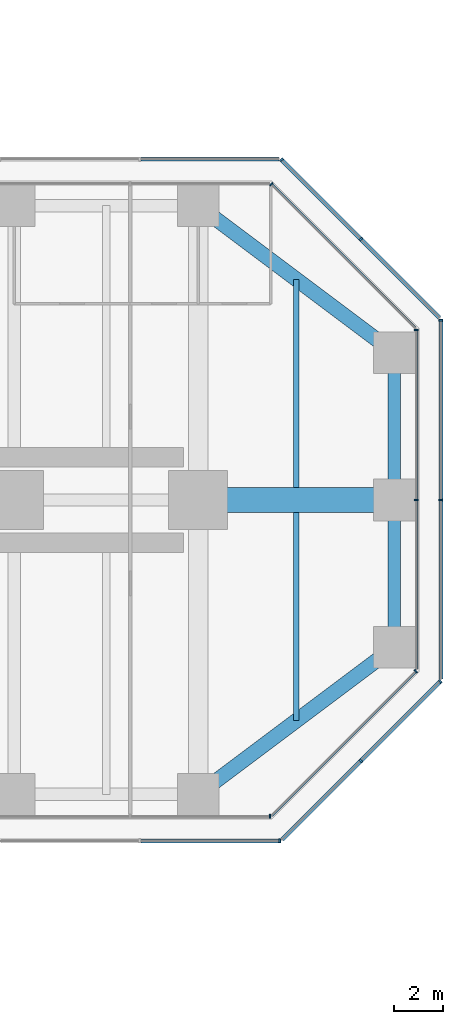
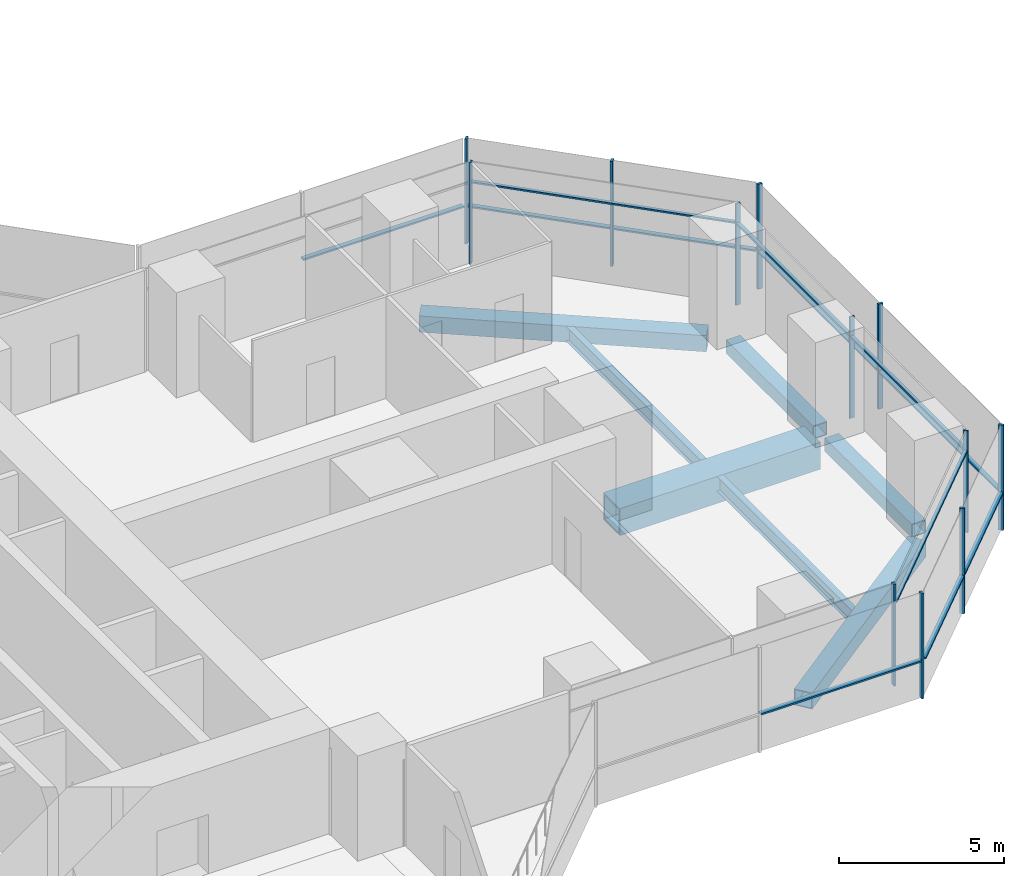
# One storey, part 12 of 22: 24 members, 7 beams, 9 elements without a shape of their own.
"""IFC4 building model written with IfcOpenShell, lengths in metres."""

from ifc_helpers import new_model, si_unit, direction, frame, origin, origin_2d, place, context, subcontext, project, spatial, rectangle, hollow_rectangle, i_section, extrude, material, material_profile, profile_set, type_object, element, aggregate, save


model = new_model("IFC4")

# Units and contexts
model_context = context("Model", 3, precision=1e-05, world=origin(), true_north=direction((0.0, 1.0)))
body_context = subcontext(model_context, "Body", "Model", "MODEL_VIEW")
ifc_project = project(units=[si_unit("LENGTHUNIT", "METRE"), si_unit("AREAUNIT", "SQUARE_METRE"), si_unit("VOLUMEUNIT", "CUBIC_METRE"), si_unit("PLANEANGLEUNIT", "RADIAN"), si_unit("MASSUNIT", "GRAM", prefix="KILO")], contexts=[model_context])

# Site, building, storey
site_placement = place(None, origin())
site = spatial("IfcSite", under=ifc_project, at=site_placement, CompositionType="ELEMENT")
building_placement = place(site_placement, origin())
building = spatial("IfcBuilding", under=site, at=building_placement, Name="Mizan Broadcast Tower", CompositionType="ELEMENT")
storey_placement = place(building_placement, frame((0.0, 0.0, 94.199951171875)))
storey = spatial("IfcBuildingStorey", under=building, at=storey_placement, Name="L20", CompositionType="ELEMENT", Elevation=94.199951171875)

# Beams
ifc_material_1 = material(Name="Steel S355", Category="steel")
ifc_material_profile_1 = material_profile(ifc_material_1, hollow_rectangle(XDim=0.5, YDim=0.5, WallThickness=0.030029296875, at=origin_2d()), Name="BOX 500x500x30")
ifc_profile_set_1 = profile_set([ifc_material_profile_1], Name="Steel S355")
beam_type_1 = type_object("IfcBeamType", Name="EDGE BEAM BOX 500x500x30", PredefinedType="SPANDREL", material=ifc_profile_set_1)
for number, where, z_axis, x_axis, name in (
    (1, (35.0, -5.639892578125, -0.3798828125), (0.0, 1.0, 0.0), (-1.0, 0.0, 0.0), "Edge beam BOX 500x500x30 L20 east arm"),
    (2, (35.0, 5.639892578125, -0.3798828125), (0.0, -1.0, 0.0), (1.0, 0.0, 0.0), "Edge beam BOX 500x500x30 L20 east arm"),
):
    element("IfcBeam", number, at=place(storey_placement, frame(where, z_axis=z_axis, x_axis=x_axis)), inside=storey, type_object=beam_type_1, Name=name, PredefinedType="SPANDREL", context=body_context, shape_type="SweptSolid", body=[
        extrude(hollow_rectangle(XDim=0.5, YDim=0.5, WallThickness=0.030029296875, at=origin_2d()), origin(), (0.0, 0.0, 1.0), 5.27978515625),
    ])
ifc_material_2 = material(Name="Steel S355", Category="steel")
ifc_material_profile_2 = material_profile(ifc_material_2, hollow_rectangle(XDim=0.60009765625, YDim=0.60009765625, WallThickness=0.030029296875, at=origin_2d()), Name="BOX 600x600x30")
ifc_profile_set_2 = profile_set([ifc_material_profile_2], Name="Steel S355")
beam_type_2 = type_object("IfcBeamType", Name="EDGE BEAM BOX 600x600x30", PredefinedType="SPANDREL", material=ifc_profile_set_2)
for number, where, z_axis, x_axis, name in (
    (3, (27.47998046875, -11.639892578125, -0.429931640625), (0.800013316712, 0.599982243973, 0.0), (-0.599982243973, 0.800013316712, 0.0), "Edge beam BOX 600x600x30 L20 east arm"),
    (4, (27.47998046875, 11.639892578125, -0.429931640625), (0.800013316712, -0.599982243973, 0.0), (0.599982243973, 0.800013316712, 0.0), "Edge beam BOX 600x600x30 L20 east arm"),
):
    element("IfcBeam", number, at=place(storey_placement, frame(where, z_axis=z_axis, x_axis=x_axis)), inside=storey, type_object=beam_type_2, Name=name, PredefinedType="SPANDREL", context=body_context, shape_type="SweptSolid", body=[
        extrude(hollow_rectangle(XDim=0.60009765625, YDim=0.60009765625, WallThickness=0.030029296875, at=origin_2d()), origin(), (0.0, 0.0, 1.0), 8.7998046875),
    ])
ifc_material_3 = material(Name="Steel S460", Category="steel")
ifc_material_profile_3 = material_profile(ifc_material_3, hollow_rectangle(XDim=1.0, YDim=1.0, WallThickness=0.06005859375, at=origin_2d()), Name="BOX 1000x1000x60")
ifc_profile_set_3 = profile_set([ifc_material_profile_3], Name="Steel S460")
beam_type_3 = type_object("IfcBeamType", Name="GIRDER BOX 1000x1000x60", PredefinedType="BEAM", material=ifc_profile_set_3)
beam_placement = place(storey_placement, frame((27.47998046875, 0.0, -0.6298828125), z_axis=(1.0, 0.0, 0.0), x_axis=(0.0, 1.0, 0.0)))
element("IfcBeam", 5, at=beam_placement, inside=storey, type_object=beam_type_3, Name="Girder BOX 1000x1000x60 L20 east arm", PredefinedType="BEAM", context=body_context, shape_type="SweptSolid", body=[
    extrude(hollow_rectangle(XDim=1.0, YDim=1.0, WallThickness=0.06005859375, at=origin_2d()), origin(), (0.0, 0.0, 1.0), 7.0400390625),
])

# Curtain wall, member
ifc_material_4 = material(Name="Aluminium framed glazing", Category="aluminium")
curtain_wall_type_1 = type_object("IfcCurtainWallType", Name="INNER SKIN LOW ZONE", PredefinedType="USERDEFINED", material=ifc_material_4)
curtain_wall_1_placement = place(storey_placement, origin())
curtain_wall_1 = element("IfcCurtainWall", 6, at=curtain_wall_1_placement, inside=storey, type_object=curtain_wall_type_1, Name="Inner skin low zone L20 E side", ObjectType="INNER SKIN LOW ZONE", PredefinedType="USERDEFINED")
ifc_material_5 = material(Name="Aluminium, pale anodised", Category="aluminium")
ifc_material_profile_4 = material_profile(ifc_material_5, rectangle(XDim=0.159912109375, YDim=0.06005859375, at=origin_2d()), Name="MULLION 160x60")
ifc_profile_set_4 = profile_set([ifc_material_profile_4], Name="Aluminium, pale anodised")
member_type_1 = type_object("IfcMemberType", Name="INNER SKIN MULLION 60x160", PredefinedType="MULLION", material=ifc_profile_set_4)
member_1_placement = place(storey_placement, frame((29.928466796875, -12.89990234375, 0.0), z_axis=(0.0, 0.0, 1.0), x_axis=(0.0, 1.0, 0.0)))
member_1 = element("IfcMember", 7, at=member_1_placement, type_object=member_type_1, Name="Inner skin low zone L20 E side mullion 3", PredefinedType="MULLION", context=body_context, shape_type="SweptSolid", body=[
    extrude(rectangle(XDim=0.159912109375, YDim=0.06005859375, at=origin_2d()), origin(), (0.0, 0.0, 1.0), 3.77001953125),
])
aggregate(curtain_wall_1, [member_1])

curtain_wall_2_placement = place(storey_placement, origin())
curtain_wall_2 = element("IfcCurtainWall", 8, at=curtain_wall_2_placement, inside=storey, type_object=curtain_wall_type_1, Name="Inner skin low zone L20 E chamfer", ObjectType="INNER SKIN LOW ZONE", PredefinedType="USERDEFINED")
member_2_placement = place(storey_placement, frame((35.87890625, -6.979736328125, 0.0), z_axis=(0.0, 0.0, 1.0), x_axis=(-0.707106781187, 0.707106781187, 0.0)))
member_2 = element("IfcMember", 9, at=member_2_placement, type_object=member_type_1, Name="Inner skin low zone L20 E chamfer mullion 2", PredefinedType="MULLION", context=body_context, shape_type="SweptSolid", body=[
    extrude(rectangle(XDim=0.159912109375, YDim=0.06005859375, at=origin_2d()), origin(), (0.0, 0.0, 1.0), 3.77001953125),
])

# Curtain wall, members
curtain_wall_3_placement = place(storey_placement, origin())
curtain_wall_3 = element("IfcCurtainWall", 10, at=curtain_wall_3_placement, inside=storey, type_object=curtain_wall_type_1, Name="Inner skin low zone L20 E end", ObjectType="INNER SKIN LOW ZONE", PredefinedType="USERDEFINED")
member_3_placement = place(storey_placement, frame((35.89990234375, 0.0, 0.0), z_axis=(0.0, 0.0, 1.0), x_axis=(-1.0, 0.0, 0.0)))
member_3 = element("IfcMember", 11, at=member_3_placement, type_object=member_type_1, Name="Inner skin low zone L20 E end mullion 2", PredefinedType="MULLION", context=body_context, shape_type="SweptSolid", body=[
    extrude(rectangle(XDim=0.159912109375, YDim=0.06005859375, at=origin_2d()), origin(), (0.0, 0.0, 1.0), 3.77001953125),
])
member_4_placement = place(storey_placement, frame((35.89990234375, 6.928466796875, 0.0), z_axis=(0.0, 0.0, 1.0), x_axis=(-1.0, 0.0, 0.0)))
member_4 = element("IfcMember", 12, at=member_4_placement, type_object=member_type_1, Name="Inner skin low zone L20 E end mullion 3", PredefinedType="MULLION", context=body_context, shape_type="SweptSolid", body=[
    extrude(rectangle(XDim=0.159912109375, YDim=0.06005859375, at=origin_2d()), origin(), (0.0, 0.0, 1.0), 3.77001953125),
])

# Curtain wall, member
curtain_wall_4_placement = place(storey_placement, origin())
curtain_wall_4 = element("IfcCurtainWall", 13, at=curtain_wall_4_placement, inside=storey, type_object=curtain_wall_type_1, Name="Inner skin low zone L20 E chamfer", ObjectType="INNER SKIN LOW ZONE", PredefinedType="USERDEFINED")
member_5_placement = place(storey_placement, frame((29.979736328125, 12.87890625, 0.0), z_axis=(0.0, 0.0, 1.0), x_axis=(-0.707106781187, -0.707106781187, 0.0)))
member_5 = element("IfcMember", 14, at=member_5_placement, type_object=member_type_1, Name="Inner skin low zone L20 E chamfer mullion 2", PredefinedType="MULLION", context=body_context, shape_type="SweptSolid", body=[
    extrude(rectangle(XDim=0.159912109375, YDim=0.06005859375, at=origin_2d()), origin(), (0.0, 0.0, 1.0), 3.77001953125),
])

# Member
ifc_material_6 = material(Name="Aluminium, pale anodised", Category="aluminium")
ifc_material_profile_5 = material_profile(ifc_material_6, rectangle(XDim=0.1201171875, YDim=0.06005859375, at=origin_2d()), Name="TRANSOM 120x60")
ifc_profile_set_5 = profile_set([ifc_material_profile_5], Name="Aluminium, pale anodised")
member_type_2 = type_object("IfcMemberType", Name="INNER SKIN TRANSOM 60x120", PredefinedType="USERDEFINED", material=ifc_profile_set_5)
member_6_placement = place(storey_placement, frame((30.0009765625, -12.857666015625, 3.030029296875), z_axis=(0.707106781187, 0.707106781187, 0.0), x_axis=(-0.707106781187, 0.707106781187, 0.0)))
member_6 = element("IfcMember", 15, at=member_6_placement, type_object=member_type_2, Name="Inner skin low zone L20 E chamfer transom 1.1", ObjectType="TRANSOM", PredefinedType="USERDEFINED", context=body_context, shape_type="SweptSolid", body=[
    extrude(rectangle(XDim=0.1201171875, YDim=0.06005859375, at=origin_2d()), origin(), (0.0, 0.0, 1.0), 8.28271484375),
])

aggregate(curtain_wall_2, [member_2, member_6])

member_7_placement = place(storey_placement, frame((35.89990234375, -6.898681640625, 3.030029296875), z_axis=(0.0, 1.0, 0.0), x_axis=(-1.0, 0.0, 0.0)))
member_7 = element("IfcMember", 16, at=member_7_placement, type_object=member_type_2, Name="Inner skin low zone L20 E end transom 1.1", ObjectType="TRANSOM", PredefinedType="USERDEFINED", context=body_context, shape_type="SweptSolid", body=[
    extrude(rectangle(XDim=0.1201171875, YDim=0.06005859375, at=origin_2d()), origin(), (0.0, 0.0, 1.0), 6.86865234375),
])

member_8_placement = place(storey_placement, frame((35.89990234375, 0.030029296875, 3.030029296875), z_axis=(0.0, 1.0, 0.0), x_axis=(-1.0, 0.0, 0.0)))
member_8 = element("IfcMember", 17, at=member_8_placement, type_object=member_type_2, Name="Inner skin low zone L20 E end transom 2.1", ObjectType="TRANSOM", PredefinedType="USERDEFINED", context=body_context, shape_type="SweptSolid", body=[
    extrude(rectangle(XDim=0.1201171875, YDim=0.06005859375, at=origin_2d()), origin(), (0.0, 0.0, 1.0), 6.86865234375),
])

aggregate(curtain_wall_3, [member_3, member_4, member_7, member_8])

member_9_placement = place(storey_placement, frame((35.857666015625, 7.0009765625, 3.030029296875), z_axis=(-0.707106781187, 0.707106781187, 0.0), x_axis=(-0.707106781187, -0.707106781187, 0.0)))
member_9 = element("IfcMember", 18, at=member_9_placement, type_object=member_type_2, Name="Inner skin low zone L20 E chamfer transom 1.1", ObjectType="TRANSOM", PredefinedType="USERDEFINED", context=body_context, shape_type="SweptSolid", body=[
    extrude(rectangle(XDim=0.1201171875, YDim=0.06005859375, at=origin_2d()), origin(), (0.0, 0.0, 1.0), 8.28271484375),
])

aggregate(curtain_wall_4, [member_5, member_9])

# Curtain wall, members
ifc_material_7 = material(Name="Aluminium framed glazing", Category="aluminium")
curtain_wall_type_2 = type_object("IfcCurtainWallType", Name="OUTER SKIN", PredefinedType="USERDEFINED", material=ifc_material_7)
curtain_wall_5_placement = place(storey_placement, origin())
curtain_wall_5 = element("IfcCurtainWall", 19, at=curtain_wall_5_placement, inside=storey, type_object=curtain_wall_type_2, Name="Outer skin L20 E chamfer", ObjectType="OUTER SKIN", PredefinedType="USERDEFINED")
ifc_material_8 = material(Name="Aluminium, pale anodised", Category="aluminium")
ifc_material_profile_6 = material_profile(ifc_material_8, rectangle(XDim=0.159912109375, YDim=0.080078125, at=origin_2d()), Name="MULLION 160x80")
ifc_profile_set_6 = profile_set([ifc_material_profile_6], Name="Aluminium, pale anodised")
member_type_3 = type_object("IfcMemberType", Name="OUTER SKIN MULLION 80x160", PredefinedType="MULLION", material=ifc_profile_set_6)
member_10_placement = place(storey_placement, frame((33.636474609375, -10.636474609375, 0.0), z_axis=(0.0, 0.0, 1.0), x_axis=(-0.707106781187, 0.707106781187, 0.0)))
member_10 = element("IfcMember", 20, at=member_10_placement, type_object=member_type_3, Name="Outer skin L20 E chamfer mullion 2", PredefinedType="MULLION", context=body_context, shape_type="SweptSolid", body=[
    extrude(rectangle(XDim=0.159912109375, YDim=0.080078125, at=origin_2d()), origin(), (0.0, 0.0, 1.0), 3.900146484375),
])
member_11_placement = place(storey_placement, frame((36.871826171875, -7.401123046875, 0.0), z_axis=(0.0, 0.0, 1.0), x_axis=(-0.707106781187, 0.707106781187, 0.0)))
member_11 = element("IfcMember", 21, at=member_11_placement, type_object=member_type_3, Name="Outer skin L20 E chamfer mullion 3", PredefinedType="MULLION", context=body_context, shape_type="SweptSolid", body=[
    extrude(rectangle(XDim=0.159912109375, YDim=0.080078125, at=origin_2d()), origin(), (0.0, 0.0, 1.0), 3.900146484375),
])

curtain_wall_6_placement = place(storey_placement, origin())
curtain_wall_6 = element("IfcCurtainWall", 22, at=curtain_wall_6_placement, inside=storey, type_object=curtain_wall_type_2, Name="Outer skin L20 E end", ObjectType="OUTER SKIN", PredefinedType="USERDEFINED")
member_12_placement = place(storey_placement, frame((36.89990234375, 0.0, 0.0), z_axis=(0.0, 0.0, 1.0), x_axis=(-1.0, 0.0, 0.0)))
member_12 = element("IfcMember", 23, at=member_12_placement, type_object=member_type_3, Name="Outer skin L20 E end mullion 2", PredefinedType="MULLION", context=body_context, shape_type="SweptSolid", body=[
    extrude(rectangle(XDim=0.159912109375, YDim=0.080078125, at=origin_2d()), origin(), (0.0, 0.0, 1.0), 3.900146484375),
])
member_13_placement = place(storey_placement, frame((36.89990234375, 7.332763671875, 0.0), z_axis=(0.0, 0.0, 1.0), x_axis=(-1.0, 0.0, 0.0)))
member_13 = element("IfcMember", 24, at=member_13_placement, type_object=member_type_3, Name="Outer skin L20 E end mullion 3", PredefinedType="MULLION", context=body_context, shape_type="SweptSolid", body=[
    extrude(rectangle(XDim=0.159912109375, YDim=0.080078125, at=origin_2d()), origin(), (0.0, 0.0, 1.0), 3.900146484375),
])

curtain_wall_7_placement = place(storey_placement, origin())
curtain_wall_7 = element("IfcCurtainWall", 25, at=curtain_wall_7_placement, inside=storey, type_object=curtain_wall_type_2, Name="Outer skin L20 E chamfer", ObjectType="OUTER SKIN", PredefinedType="USERDEFINED")
member_14_placement = place(storey_placement, frame((33.636474609375, 10.636474609375, 0.0), z_axis=(0.0, 0.0, 1.0), x_axis=(-0.707106781187, -0.707106781187, 0.0)))
member_14 = element("IfcMember", 26, at=member_14_placement, type_object=member_type_3, Name="Outer skin L20 E chamfer mullion 2", PredefinedType="MULLION", context=body_context, shape_type="SweptSolid", body=[
    extrude(rectangle(XDim=0.159912109375, YDim=0.080078125, at=origin_2d()), origin(), (0.0, 0.0, 1.0), 3.900146484375),
])
member_15_placement = place(storey_placement, frame((30.401123046875, 13.871826171875, 0.0), z_axis=(0.0, 0.0, 1.0), x_axis=(-0.707106781187, -0.707106781187, 0.0)))
member_15 = element("IfcMember", 27, at=member_15_placement, type_object=member_type_3, Name="Outer skin L20 E chamfer mullion 3", PredefinedType="MULLION", context=body_context, shape_type="SweptSolid", body=[
    extrude(rectangle(XDim=0.159912109375, YDim=0.080078125, at=origin_2d()), origin(), (0.0, 0.0, 1.0), 3.900146484375),
])

# Curtain wall, member
curtain_wall_8_placement = place(storey_placement, origin())
curtain_wall_8 = element("IfcCurtainWall", 28, at=curtain_wall_8_placement, inside=storey, type_object=curtain_wall_type_2, Name="Outer skin L20 E side", ObjectType="OUTER SKIN", PredefinedType="USERDEFINED")
member_16_placement = place(storey_placement, frame((30.332763671875, -13.89990234375, 0.0), z_axis=(0.0, 0.0, 1.0), x_axis=(0.0, 1.0, 0.0)))
member_16 = element("IfcMember", 29, at=member_16_placement, type_object=member_type_3, Name="Outer skin L20 E side mullion 3", PredefinedType="MULLION", context=body_context, shape_type="SweptSolid", body=[
    extrude(rectangle(XDim=0.159912109375, YDim=0.080078125, at=origin_2d()), origin(), (0.0, 0.0, 1.0), 3.900146484375),
])

# Member
ifc_material_9 = material(Name="Aluminium, pale anodised", Category="aluminium")
ifc_material_profile_7 = material_profile(ifc_material_9, rectangle(XDim=0.159912109375, YDim=0.06005859375, at=origin_2d()), Name="TRANSOM 160x60")
ifc_profile_set_7 = profile_set([ifc_material_profile_7], Name="Aluminium, pale anodised")
member_type_4 = type_object("IfcMemberType", Name="OUTER SKIN TRANSOM 60x160", PredefinedType="USERDEFINED", material=ifc_profile_set_7)
member_17_placement = place(storey_placement, frame((30.429443359375, -13.843505859375, 1.400146484375), z_axis=(0.707106781187, 0.707106781187, 0.0), x_axis=(-0.707106781187, 0.707106781187, 0.0)))
member_17 = element("IfcMember", 30, at=member_17_placement, type_object=member_type_4, Name="Outer skin L20 E chamfer transom 1.1", ObjectType="TRANSOM", PredefinedType="USERDEFINED", context=body_context, shape_type="SweptSolid", body=[
    extrude(rectangle(XDim=0.159912109375, YDim=0.06005859375, at=origin_2d()), origin(), (0.0, 0.0, 1.0), 4.495361328125),
])

member_18_placement = place(storey_placement, frame((33.664794921875, -10.608154296875, 1.400146484375), z_axis=(0.707106781187, 0.707106781187, 0.0), x_axis=(-0.707106781187, 0.707106781187, 0.0)))
member_18 = element("IfcMember", 31, at=member_18_placement, type_object=member_type_4, Name="Outer skin L20 E chamfer transom 2.1", ObjectType="TRANSOM", PredefinedType="USERDEFINED", context=body_context, shape_type="SweptSolid", body=[
    extrude(rectangle(XDim=0.159912109375, YDim=0.06005859375, at=origin_2d()), origin(), (0.0, 0.0, 1.0), 4.495361328125),
])

aggregate(curtain_wall_5, [member_10, member_11, member_17, member_18])

member_19_placement = place(storey_placement, frame((36.89990234375, -7.292724609375, 1.400146484375), z_axis=(0.0, 1.0, 0.0), x_axis=(-1.0, 0.0, 0.0)))
member_19 = element("IfcMember", 32, at=member_19_placement, type_object=member_type_4, Name="Outer skin L20 E end transom 1.1", ObjectType="TRANSOM", PredefinedType="USERDEFINED", context=body_context, shape_type="SweptSolid", body=[
    extrude(rectangle(XDim=0.159912109375, YDim=0.06005859375, at=origin_2d()), origin(), (0.0, 0.0, 1.0), 7.252685546875),
])

member_20_placement = place(storey_placement, frame((36.89990234375, 0.0400390625, 1.400146484375), z_axis=(0.0, 1.0, 0.0), x_axis=(-1.0, 0.0, 0.0)))
member_20 = element("IfcMember", 33, at=member_20_placement, type_object=member_type_4, Name="Outer skin L20 E end transom 2.1", ObjectType="TRANSOM", PredefinedType="USERDEFINED", context=body_context, shape_type="SweptSolid", body=[
    extrude(rectangle(XDim=0.159912109375, YDim=0.06005859375, at=origin_2d()), origin(), (0.0, 0.0, 1.0), 7.252685546875),
])

aggregate(curtain_wall_6, [member_12, member_13, member_19, member_20])

member_21_placement = place(storey_placement, frame((36.843505859375, 7.429443359375, 1.400146484375), z_axis=(-0.707106781187, 0.707106781187, 0.0), x_axis=(-0.707106781187, -0.707106781187, 0.0)))
member_21 = element("IfcMember", 34, at=member_21_placement, type_object=member_type_4, Name="Outer skin L20 E chamfer transom 1.1", ObjectType="TRANSOM", PredefinedType="USERDEFINED", context=body_context, shape_type="SweptSolid", body=[
    extrude(rectangle(XDim=0.159912109375, YDim=0.06005859375, at=origin_2d()), origin(), (0.0, 0.0, 1.0), 4.495361328125),
])

member_22_placement = place(storey_placement, frame((33.608154296875, 10.664794921875, 1.400146484375), z_axis=(-0.707106781187, 0.707106781187, 0.0), x_axis=(-0.707106781187, -0.707106781187, 0.0)))
member_22 = element("IfcMember", 35, at=member_22_placement, type_object=member_type_4, Name="Outer skin L20 E chamfer transom 2.1", ObjectType="TRANSOM", PredefinedType="USERDEFINED", context=body_context, shape_type="SweptSolid", body=[
    extrude(rectangle(XDim=0.159912109375, YDim=0.06005859375, at=origin_2d()), origin(), (0.0, 0.0, 1.0), 4.495361328125),
])

aggregate(curtain_wall_7, [member_14, member_15, member_21, member_22])

# Curtain wall, member
curtain_wall_9_placement = place(storey_placement, origin())
curtain_wall_9 = element("IfcCurtainWall", 36, at=curtain_wall_9_placement, inside=storey, type_object=curtain_wall_type_2, Name="Outer skin L20 E side", ObjectType="OUTER SKIN", PredefinedType="USERDEFINED")
member_23_placement = place(storey_placement, frame((30.292724609375, 13.89990234375, 1.400146484375), z_axis=(-1.0, 0.0, 0.0), x_axis=(0.0, -1.0, 0.0)))
member_23 = element("IfcMember", 37, at=member_23_placement, type_object=member_type_4, Name="Outer skin L20 E side transom 1.1", ObjectType="TRANSOM", PredefinedType="USERDEFINED", context=body_context, shape_type="SweptSolid", body=[
    extrude(rectangle(XDim=0.159912109375, YDim=0.06005859375, at=origin_2d()), origin(), (0.0, 0.0, 1.0), 5.6298828125),
])
aggregate(curtain_wall_9, [member_23])

# Member
member_24_placement = place(storey_placement, frame((24.662841796875, -13.89990234375, 1.400146484375), z_axis=(1.0, 0.0, 0.0), x_axis=(0.0, 1.0, 0.0)))
member_24 = element("IfcMember", 38, at=member_24_placement, type_object=member_type_4, Name="Outer skin L20 E side transom 2.1", ObjectType="TRANSOM", PredefinedType="USERDEFINED", context=body_context, shape_type="SweptSolid", body=[
    extrude(rectangle(XDim=0.159912109375, YDim=0.06005859375, at=origin_2d()), origin(), (0.0, 0.0, 1.0), 5.6298828125),
])

aggregate(curtain_wall_8, [member_16, member_24])

# Beams
ifc_material_10 = material(Name="Steel S355", Category="steel")
ifc_material_profile_8 = material_profile(ifc_material_10, i_section(OverallWidth=0.2099609375, OverallDepth=0.550048828125, WebThickness=0.010986328125, FlangeThickness=0.01708984375, FilletRadius=0.02392578125, at=origin_2d()), Name="IPE 550")
ifc_profile_set_8 = profile_set([ifc_material_profile_8], Name="Steel S355")
beam_type_4 = type_object("IfcBeamType", Name="SECONDARY BEAM IPE 550", PredefinedType="JOIST", material=ifc_profile_set_8)
for number, where, z_axis, x_axis, name in (
    (39, (31.0, -9.0, -0.405029296875), (0.0, 1.0, 0.0), (-1.0, 0.0, 0.0), "Secondary beam IPE 550 L20 east arm"),
    (40, (31.0, 9.0, -0.405029296875), (0.0, -1.0, 0.0), (1.0, 0.0, 0.0), "Secondary beam IPE 550 L20 east arm"),
):
    element("IfcBeam", number, at=place(storey_placement, frame(where, z_axis=z_axis, x_axis=x_axis)), inside=storey, type_object=beam_type_4, Name=name, PredefinedType="JOIST", context=body_context, shape_type="SweptSolid", body=[
        extrude(i_section(OverallWidth=0.2099609375, OverallDepth=0.550048828125, WebThickness=0.010986328125, FlangeThickness=0.01708984375, FilletRadius=0.02392578125, at=origin_2d()), origin(), (0.0, 0.0, 1.0), 8.5),
    ])

save(model, "model.ifc")
